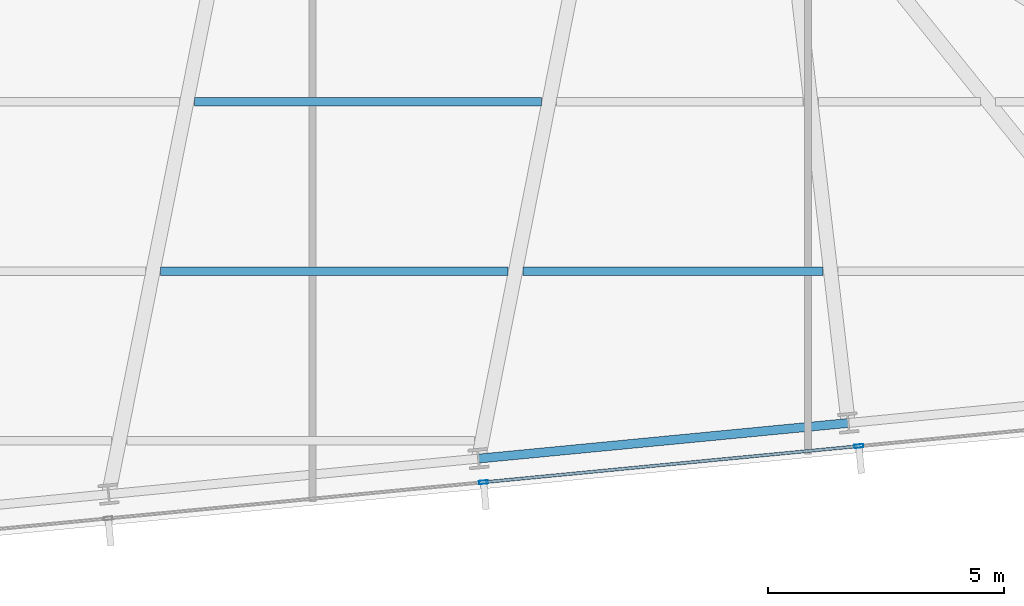
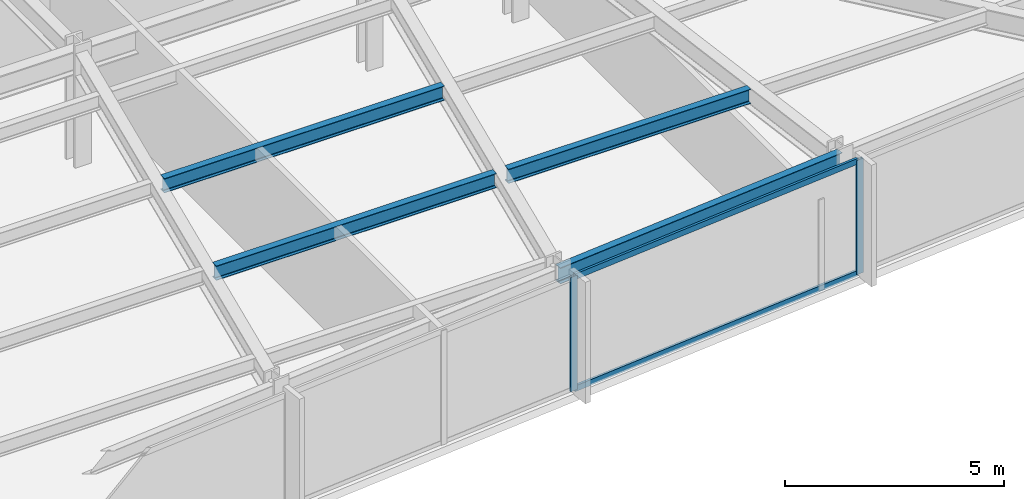
# One storey, part 10 of 32: 4 beams, 4 members, 1 element without a shape of its own.
"""IFC4 building model written with IfcOpenShell, lengths in metres."""

from ifc_helpers import new_model, si_unit, direction, frame, origin, origin_2d, place, context, subcontext, project, spatial, hollow_rectangle, i_section, extrude, material, material_profile, profile_set, type_object, element, aggregate, save


model = new_model("IFC4")

# Units and contexts
model_context = context("Model", 3, precision=1e-05, world=origin(), true_north=direction((0.0, 1.0)))
body_context = subcontext(model_context, "Body", "Model", "MODEL_VIEW")
ifc_project = project(units=[si_unit("LENGTHUNIT", "METRE"), si_unit("AREAUNIT", "SQUARE_METRE"), si_unit("VOLUMEUNIT", "CUBIC_METRE"), si_unit("PLANEANGLEUNIT", "RADIAN"), si_unit("MASSUNIT", "GRAM", prefix="KILO")], contexts=[model_context])

# Site, building, storey
site_placement = place(None, origin())
site = spatial("IfcSite", under=ifc_project, at=site_placement, CompositionType="ELEMENT")
building_placement = place(site_placement, origin())
building = spatial("IfcBuilding", under=site, at=building_placement, Name="Yelkora Congress Tower", CompositionType="ELEMENT")
storey_placement = place(building_placement, frame((0.0, 0.0, 120.300048828125)))
storey = spatial("IfcBuildingStorey", under=building, at=storey_placement, Name="L32", CompositionType="ELEMENT", Elevation=120.300048828125)

# Beams
ifc_material_1 = material(Name="Steel S355J2", Category="steel")
ifc_material_profile_1 = material_profile(ifc_material_1, i_section(OverallWidth=0.179931640625, OverallDepth=0.39990234375, WebThickness=0.008544921875, FlangeThickness=0.013427734375, FilletRadius=0.02099609375, at=origin_2d()), Name="IPE 400")
ifc_profile_set_1 = profile_set([ifc_material_profile_1], Name="Steel S355J2")
beam_type_1 = type_object("IfcBeamType", Name="BM-JOIST-IPE400", PredefinedType="JOIST", material=ifc_profile_set_1)
beam_1_placement = place(storey_placement, frame((44.436767578125, 16.144287109375, 2.97998046875), z_axis=(1.0, 0.0, 0.0), x_axis=(0.0, 1.0, 0.0)))
element("IfcBeam", 1, at=beam_1_placement, inside=storey, type_object=beam_type_1, Name="L32 Composite Floor Joist 7", PredefinedType="JOIST", context=body_context, shape_type="SweptSolid", body=[
    extrude(i_section(OverallWidth=0.179931640625, OverallDepth=0.39990234375, WebThickness=0.008544921875, FlangeThickness=0.013427734375, FilletRadius=0.02099609375, at=origin_2d()), origin(), (0.0, 0.0, 1.0), 7.373046875),
])
beam_2_placement = place(storey_placement, frame((52.1298828125, 16.144287109375, 2.97998046875), z_axis=(1.0, 0.0, 0.0), x_axis=(0.0, 1.0, 0.0)))
element("IfcBeam", 2, at=beam_2_placement, inside=storey, type_object=beam_type_1, Name="L32 Composite Floor Joist 8", PredefinedType="JOIST", context=body_context, shape_type="SweptSolid", body=[
    extrude(i_section(OverallWidth=0.179931640625, OverallDepth=0.39990234375, WebThickness=0.008544921875, FlangeThickness=0.013427734375, FilletRadius=0.02099609375, at=origin_2d()), origin(), (0.0, 0.0, 1.0), 6.3671875),
])
beam_3_placement = place(storey_placement, frame((45.153564453125, 19.744384765625, 2.97998046875), z_axis=(1.0, 0.0, 0.0), x_axis=(0.0, 1.0, 0.0)))
element("IfcBeam", 3, at=beam_3_placement, inside=storey, type_object=beam_type_1, Name="L32 Composite Floor Joist 14", PredefinedType="JOIST", context=body_context, shape_type="SweptSolid", body=[
    extrude(i_section(OverallWidth=0.179931640625, OverallDepth=0.39990234375, WebThickness=0.008544921875, FlangeThickness=0.013427734375, FilletRadius=0.02099609375, at=origin_2d()), origin(), (0.0, 0.0, 1.0), 7.367919921875),
])
ifc_material_profile_2 = material_profile(ifc_material_1, i_section(OverallWidth=0.18994140625, OverallDepth=0.449951171875, WebThickness=0.009521484375, FlangeThickness=0.0146484375, FilletRadius=0.02099609375, at=origin_2d()), Name="IPE 450")
ifc_profile_set_2 = profile_set([ifc_material_profile_2], Name="Steel S355J2")
beam_type_2 = type_object("IfcBeamType", Name="BM-SPAN-IPE450", PredefinedType="SPANDREL", material=ifc_profile_set_2)
beam_4_placement = place(storey_placement, frame((51.18359375, 12.16748046875, 2.954833984375), z_axis=(0.995395860104, 0.095849265454, 0.0), x_axis=(-0.095849265454, 0.995395860104, 0.0)))
element("IfcBeam", 4, at=beam_4_placement, inside=storey, type_object=beam_type_2, Name="L32 Perimeter Beam 7", PredefinedType="SPANDREL", context=body_context, shape_type="SweptSolid", body=[
    extrude(i_section(OverallWidth=0.18994140625, OverallDepth=0.449951171875, WebThickness=0.009521484375, FlangeThickness=0.0146484375, FilletRadius=0.02099609375, at=origin_2d()), origin(), (0.0, 0.0, 1.0), 7.885986328125),
])

# Curtain wall, members
ifc_material_2 = material(Name="Anodised aluminium and insulated glass", Category="aluminium")
curtain_wall_type = type_object("IfcCurtainWallType", Name="CW-SYS-B2", PredefinedType="NOTDEFINED", material=ifc_material_2)
curtain_wall_placement = place(storey_placement, origin())
curtain_wall = element("IfcCurtainWall", 5, at=curtain_wall_placement, inside=storey, type_object=curtain_wall_type, Name="L32 Unitised Curtain Wall 20", PredefinedType="NOTDEFINED")
ifc_material_3 = material(Name="Anodised aluminium 6063-T6", Category="aluminium")
ifc_material_profile_3 = material_profile(ifc_material_3, hollow_rectangle(XDim=0.070068359375, YDim=0.18994140625, WallThickness=0.00390625, at=origin_2d()), Name="ALU 70x190x4")
ifc_profile_set_3 = profile_set([ifc_material_profile_3], Name="Anodised aluminium 6063-T6")
member_type_1 = type_object("IfcMemberType", Name="MEM-ML-B2", PredefinedType="MULLION", material=ifc_profile_set_3)
member_1_placement = place(storey_placement, frame((59.2568359375, 12.4326171875, 0.0), z_axis=(0.0, 0.0, 1.0), x_axis=(0.095844345816, -0.995396333816, 0.0)))
member_1 = element("IfcMember", 6, at=member_1_placement, type_object=member_type_1, Name="CW-B2 mullion 3", PredefinedType="MULLION", context=body_context, shape_type="SweptSolid", body=[
    extrude(hollow_rectangle(XDim=0.070068359375, YDim=0.18994140625, WallThickness=0.00390625, at=origin_2d()), origin(), (0.0, 0.0, 1.0), 3.179931640625),
])
member_2_placement = place(storey_placement, frame((51.290771484375, 11.66552734375, 0.0), z_axis=(0.0, 0.0, 1.0), x_axis=(0.095844345816, -0.995396333816, 0.0)))
member_2 = element("IfcMember", 7, at=member_2_placement, type_object=member_type_1, Name="CW-B2 mullion 4", PredefinedType="MULLION", context=body_context, shape_type="SweptSolid", body=[
    extrude(hollow_rectangle(XDim=0.070068359375, YDim=0.18994140625, WallThickness=0.00390625, at=origin_2d()), origin(), (0.0, 0.0, 1.0), 3.179931640625),
])
ifc_material_profile_4 = material_profile(ifc_material_3, hollow_rectangle(XDim=0.06494140625, YDim=0.159912109375, WallThickness=0.00390625, at=origin_2d()), Name="ALU 65x160x4")
ifc_profile_set_4 = profile_set([ifc_material_profile_4], Name="Anodised aluminium 6063-T6")
member_type_2 = type_object("IfcMemberType", Name="MEM-TR-B2", PredefinedType="USERDEFINED", material=ifc_profile_set_4)
member_3_placement = place(storey_placement, frame((59.221923828125, 12.42919921875, 0.032470703125), z_axis=(-0.995397010735, -0.095837315383, 0.0), x_axis=(0.095837315383, -0.995397010735, 0.0)))
member_3 = element("IfcMember", 8, at=member_3_placement, type_object=member_type_2, Name="CW-B2 transom 3.1", ObjectType="TRANSOM", PredefinedType="USERDEFINED", context=body_context, shape_type="SweptSolid", body=[
    extrude(hollow_rectangle(XDim=0.06494140625, YDim=0.159912109375, WallThickness=0.00390625, at=origin_2d()), origin(), (0.0, 0.0, 1.0), 7.932861328125),
])
member_4_placement = place(storey_placement, frame((59.221923828125, 12.42919921875, 3.1474609375), z_axis=(-0.995397010735, -0.095837315383, 0.0), x_axis=(0.095837315383, -0.995397010735, 0.0)))
member_4 = element("IfcMember", 9, at=member_4_placement, type_object=member_type_2, Name="CW-B2 transom 3.2", ObjectType="TRANSOM", PredefinedType="USERDEFINED", context=body_context, shape_type="SweptSolid", body=[
    extrude(hollow_rectangle(XDim=0.06494140625, YDim=0.159912109375, WallThickness=0.00390625, at=origin_2d()), origin(), (0.0, 0.0, 1.0), 7.932861328125),
])
aggregate(curtain_wall, [member_1, member_2, member_3, member_4])

save(model, "model.ifc")
